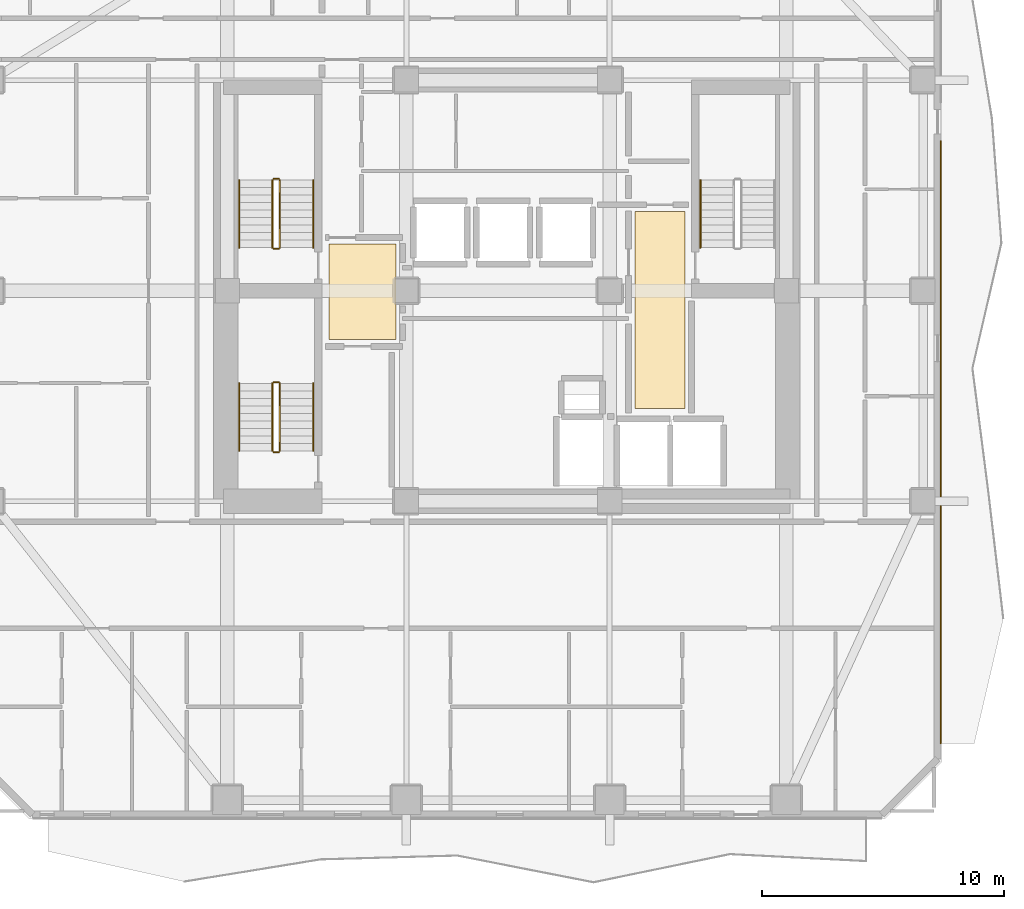
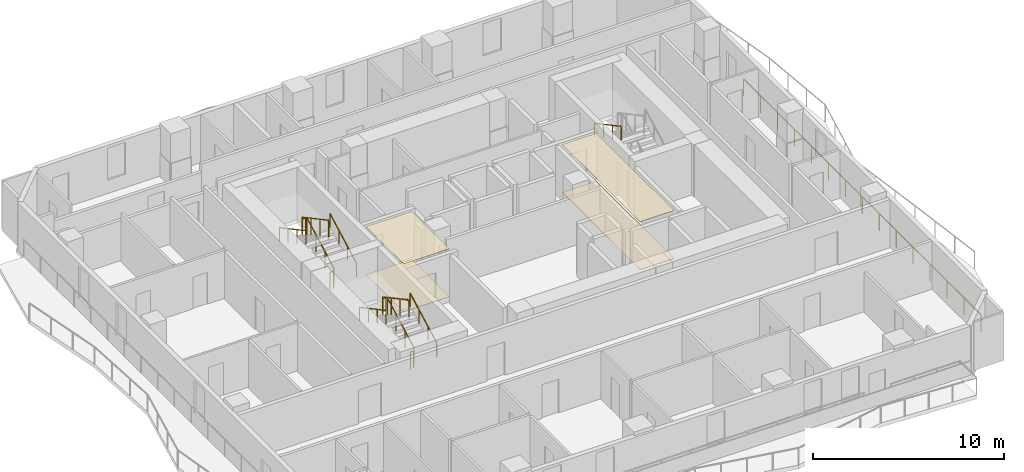
# One storey, part 9 of 11: 14 railings, 4 coverings.
"""IFC4 building model written with IfcOpenShell, lengths in metres."""

from ifc_helpers import new_model, si_unit, direction, frame, origin, origin_2d, place, context, subcontext, project, spatial, polyline, rectangle, outline, extrude, material, layer, layer_set, type_object, element, save


model = new_model("IFC4")

# Units and contexts
model_context = context("Model", 3, precision=1e-05, world=origin(), true_north=direction((0.0, 1.0)))
body_context = subcontext(model_context, "Body", "Model", "MODEL_VIEW")
ifc_project = project(units=[si_unit("LENGTHUNIT", "METRE"), si_unit("AREAUNIT", "SQUARE_METRE"), si_unit("VOLUMEUNIT", "CUBIC_METRE"), si_unit("PLANEANGLEUNIT", "RADIAN"), si_unit("MASSUNIT", "GRAM", prefix="KILO")], contexts=[model_context])

# Site, building, storey
site_placement = place(None, origin())
site = spatial("IfcSite", under=ifc_project, at=site_placement, CompositionType="ELEMENT")
building_placement = place(site_placement, origin())
building = spatial("IfcBuilding", under=site, at=building_placement, Name="Solanera Arch Residences", CompositionType="ELEMENT")
storey_placement = place(building_placement, frame((0.0, 0.0, 116.0400390625)))
storey = spatial("IfcBuildingStorey", under=building, at=storey_placement, Name="L33", CompositionType="ELEMENT", Elevation=116.0400390625)

# Railing
ifc_material_1 = material(Name="Steel S355 (ASTM A992 / A572 Grade 50)", Category="steel")
railing_type_1 = type_object("IfcRailingType", Name="Balustrade Railing BL-1100", PredefinedType="BALUSTRADE", material=ifc_material_1)
railing_1_placement = place(storey_placement, frame((42.8798828125, 36.8779296875, 0.0)))
element("IfcRailing", 1, at=railing_1_placement, inside=storey, type_object=railing_type_1, Name="L33 E Balcony Balustrade 2", PredefinedType="BALUSTRADE", context=body_context, shape_type="SweptSolid", body=[
    extrude(rectangle(XDim=0.048095703125, YDim=0.048095703125, at=origin_2d()), frame((0.0, 0.0, 1.09619140625), z_axis=(0.0, -1.0, 0.0), x_axis=(1.0, 0.0, 0.0)), (0.0, 0.0, 1.0), 24.8779296875),
    extrude(rectangle(XDim=0.0419921875, YDim=0.0419921875, at=origin_2d()), origin(), (0.0, 0.0, 1.0), 1.072021484375),
    extrude(rectangle(XDim=0.0419921875, YDim=0.0419921875, at=origin_2d()), frame((0.0, -1.777099609375, 0.0)), (0.0, 0.0, 1.0), 1.072021484375),
    extrude(rectangle(XDim=0.0419921875, YDim=0.0419921875, at=origin_2d()), frame((0.0, -3.553955078125, 0.0)), (0.0, 0.0, 1.0), 1.072021484375),
    extrude(rectangle(XDim=0.0419921875, YDim=0.0419921875, at=origin_2d()), frame((0.0, -5.3310546875, 0.0)), (0.0, 0.0, 1.0), 1.072021484375),
    extrude(rectangle(XDim=0.0419921875, YDim=0.0419921875, at=origin_2d()), frame((0.0, -7.10791015625, 0.0)), (0.0, 0.0, 1.0), 1.072021484375),
    extrude(rectangle(XDim=0.0419921875, YDim=0.0419921875, at=origin_2d()), frame((0.0, -8.885009765625, 0.0)), (0.0, 0.0, 1.0), 1.072021484375),
    extrude(rectangle(XDim=0.0419921875, YDim=0.0419921875, at=origin_2d()), frame((0.0, -10.661865234375, 0.0)), (0.0, 0.0, 1.0), 1.072021484375),
    extrude(rectangle(XDim=0.0419921875, YDim=0.0419921875, at=origin_2d()), frame((0.0, -12.43896484375, 0.0)), (0.0, 0.0, 1.0), 1.072021484375),
    extrude(rectangle(XDim=0.0419921875, YDim=0.0419921875, at=origin_2d()), frame((0.0, -14.216064453125, 0.0)), (0.0, 0.0, 1.0), 1.072021484375),
    extrude(rectangle(XDim=0.0419921875, YDim=0.0419921875, at=origin_2d()), frame((0.0, -15.992919921875, 0.0)), (0.0, 0.0, 1.0), 1.072021484375),
    extrude(rectangle(XDim=0.0419921875, YDim=0.0419921875, at=origin_2d()), frame((0.0, -17.77001953125, 0.0)), (0.0, 0.0, 1.0), 1.072021484375),
    extrude(rectangle(XDim=0.0419921875, YDim=0.0419921875, at=origin_2d()), frame((0.0, -19.546875, 0.0)), (0.0, 0.0, 1.0), 1.072021484375),
    extrude(rectangle(XDim=0.0419921875, YDim=0.0419921875, at=origin_2d()), frame((0.0, -21.323974609375, 0.0)), (0.0, 0.0, 1.0), 1.072021484375),
    extrude(rectangle(XDim=0.0419921875, YDim=0.0419921875, at=origin_2d()), frame((0.0, -23.100830078125, 0.0)), (0.0, 0.0, 1.0), 1.072021484375),
    extrude(rectangle(XDim=0.0419921875, YDim=0.0419921875, at=origin_2d()), frame((0.0, -24.8779296875, 0.0)), (0.0, 0.0, 1.0), 1.072021484375),
])

# Coverings
ifc_material_2 = material(Name="Porcelain Acoustic Floor Tile", Category="ceramic")
ifc_layer_1 = layer(ifc_material_2, 0.02001953125)
ifc_layer_set_1 = layer_set([ifc_layer_1], Name="Porcelain Acoustic Floor Tile")
covering_type_1 = type_object("IfcCoveringType", Name="Porcelain Acoustic Floor Finish FLR-20", PredefinedType="FLOORING", material=ifc_layer_set_1)
covering_1_placement = place(storey_placement, origin())
element("IfcCovering", 2, at=covering_1_placement, inside=storey, type_object=covering_type_1, Name="L33-FFL-W Porcelain Floor Finish", PredefinedType="FLOORING", context=body_context, shape_type="SweptSolid", body=[
    extrude(outline(polyline([(20.375, 28.675048828125), (17.594970703125, 28.675048828125), (17.594970703125, 32.625), (20.375, 32.625), (20.375, 28.675048828125)])), origin(), (0.0, 0.0, 1.0), 0.02001953125),
])
covering_2_placement = place(storey_placement, origin())
element("IfcCovering", 3, at=covering_2_placement, inside=storey, type_object=covering_type_1, Name="L33-FFL-E Porcelain Floor Finish", PredefinedType="FLOORING", context=body_context, shape_type="SweptSolid", body=[
    extrude(outline(polyline([(32.304931640625, 25.824951171875), (30.25, 25.824951171875), (30.25, 33.97509765625), (32.304931640625, 33.97509765625), (32.304931640625, 25.824951171875)])), origin(), (0.0, 0.0, 1.0), 0.02001953125),
])

# Railings
ifc_material_3 = material(Name="Steel S355 (ASTM A992 / A572 Grade 50)", Category="steel")
railing_type_2 = type_object("IfcRailingType", Name="Stair Guardrail GR-1100", PredefinedType="GUARDRAIL", material=ifc_material_3)
railing_2_placement = place(storey_placement, frame((15.570068359375, 32.47998046875, 0.15087890625)))
element("IfcRailing", 4, at=railing_2_placement, inside=storey, type_object=railing_type_2, Name="L33 ST-T1 stair guard 1", PredefinedType="GUARDRAIL", context=body_context, shape_type="SweptSolid", body=[
    extrude(rectangle(XDim=0.048095703125, YDim=0.048095703125, at=origin_2d()), frame((0.0, 0.0, 1.076171875), z_axis=(0.0, 0.881548766853, 0.472092969298), x_axis=(-1.0, 0.0, 0.0)), (0.0, 0.0, 1.0), 3.1650390625),
    extrude(rectangle(XDim=0.0419921875, YDim=0.0419921875, at=origin_2d()), origin(), (0.0, 0.0, 1.0), 1.052001953125),
    extrude(rectangle(XDim=0.0419921875, YDim=0.0419921875, at=origin_2d()), frame((0.0, 0.929931640625, 0.498046875)), (0.0, 0.0, 1.0), 1.052001953125),
    extrude(rectangle(XDim=0.0419921875, YDim=0.0419921875, at=origin_2d()), frame((0.0, 1.860107421875, 0.99609375)), (0.0, 0.0, 1.0), 1.052001953125),
    extrude(rectangle(XDim=0.0419921875, YDim=0.0419921875, at=origin_2d()), frame((0.0, 2.7900390625, 1.494140625)), (0.0, 0.0, 1.0), 1.052001953125),
])
railing_3_placement = place(storey_placement, frame((15.52001953125, 35.320068359375, 1.64501953125)))
element("IfcRailing", 5, at=railing_3_placement, inside=storey, type_object=railing_type_2, Name="L33 ST-T1 stair guard 2", PredefinedType="GUARDRAIL", context=body_context, shape_type="SweptSolid", body=[
    extrude(rectangle(XDim=0.048095703125, YDim=0.048095703125, at=origin_2d()), frame((0.0, 0.0, 1.076171875), z_axis=(-1.0, 0.0, 0.0), x_axis=(0.0, -1.0, 0.0)), (0.0, 0.0, 1.0), 0.199951171875),
    extrude(rectangle(XDim=0.0419921875, YDim=0.0419921875, at=origin_2d()), origin(), (0.0, 0.0, 1.0), 1.052001953125),
    extrude(rectangle(XDim=0.0419921875, YDim=0.0419921875, at=origin_2d()), frame((-0.199951171875, 0.0, 0.0)), (0.0, 0.0, 1.0), 1.052001953125),
])
railing_4_placement = place(storey_placement, frame((15.27001953125, 35.27001953125, 1.81103515625)))
element("IfcRailing", 6, at=railing_4_placement, inside=storey, type_object=railing_type_2, Name="L33 ST-T1 stair guard 3", PredefinedType="GUARDRAIL", context=body_context, shape_type="SweptSolid", body=[
    extrude(rectangle(XDim=0.048095703125, YDim=0.048095703125, at=origin_2d()), frame((0.0, 0.0, 1.076171875), z_axis=(0.0, -0.881580869306, 0.472033018838), x_axis=(1.0, 0.0, 0.0)), (0.0, 0.0, 1.0), 3.164794921875),
    extrude(rectangle(XDim=0.0419921875, YDim=0.0419921875, at=origin_2d()), origin(), (0.0, 0.0, 1.0), 1.052001953125),
    extrude(rectangle(XDim=0.0419921875, YDim=0.0419921875, at=origin_2d()), frame((0.0, -0.929931640625, 0.498046875)), (0.0, 0.0, 1.0), 1.052001953125),
    extrude(rectangle(XDim=0.0419921875, YDim=0.0419921875, at=origin_2d()), frame((0.0, -1.860107421875, 0.995849609375)), (0.0, 0.0, 1.0), 1.052001953125),
    extrude(rectangle(XDim=0.0419921875, YDim=0.0419921875, at=origin_2d()), frame((0.0, -2.7900390625, 1.493896484375)), (0.0, 0.0, 1.0), 1.052001953125),
])
railing_5_placement = place(storey_placement, frame((15.52001953125, 32.429931640625, -0.01513671875)))
element("IfcRailing", 7, at=railing_5_placement, inside=storey, type_object=railing_type_2, Name="L33 ST-T1 stair guard 4", PredefinedType="GUARDRAIL", context=body_context, shape_type="SweptSolid", body=[
    extrude(rectangle(XDim=0.048095703125, YDim=0.048095703125, at=origin_2d()), frame((0.0, 0.0, 1.076171875), z_axis=(-1.0, 0.0, 0.0), x_axis=(0.0, -1.0, 0.0)), (0.0, 0.0, 1.0), 0.199951171875),
    extrude(rectangle(XDim=0.0419921875, YDim=0.0419921875, at=origin_2d()), origin(), (0.0, 0.0, 1.0), 1.052001953125),
    extrude(rectangle(XDim=0.0419921875, YDim=0.0419921875, at=origin_2d()), frame((-0.199951171875, 0.0, 0.0)), (0.0, 0.0, 1.0), 1.052001953125),
])
railing_6_placement = place(storey_placement, frame((15.570068359375, 24.080078125, 0.15087890625)))
element("IfcRailing", 8, at=railing_6_placement, inside=storey, type_object=railing_type_2, Name="L33 ST-T3 stair guard 1", PredefinedType="GUARDRAIL", context=body_context, shape_type="SweptSolid", body=[
    extrude(rectangle(XDim=0.048095703125, YDim=0.048095703125, at=origin_2d()), frame((0.0, 0.0, 1.076171875), z_axis=(0.0, 0.881548766853, 0.472092969298), x_axis=(-1.0, 0.0, 0.0)), (0.0, 0.0, 1.0), 3.1650390625),
    extrude(rectangle(XDim=0.0419921875, YDim=0.0419921875, at=origin_2d()), origin(), (0.0, 0.0, 1.0), 1.052001953125),
    extrude(rectangle(XDim=0.0419921875, YDim=0.0419921875, at=origin_2d()), frame((0.0, 0.929931640625, 0.498046875)), (0.0, 0.0, 1.0), 1.052001953125),
    extrude(rectangle(XDim=0.0419921875, YDim=0.0419921875, at=origin_2d()), frame((0.0, 1.860107421875, 0.99609375)), (0.0, 0.0, 1.0), 1.052001953125),
    extrude(rectangle(XDim=0.0419921875, YDim=0.0419921875, at=origin_2d()), frame((0.0, 2.7900390625, 1.494140625)), (0.0, 0.0, 1.0), 1.052001953125),
])
railing_7_placement = place(storey_placement, frame((15.52001953125, 26.919921875, 1.64501953125)))
element("IfcRailing", 9, at=railing_7_placement, inside=storey, type_object=railing_type_2, Name="L33 ST-T3 stair guard 2", PredefinedType="GUARDRAIL", context=body_context, shape_type="SweptSolid", body=[
    extrude(rectangle(XDim=0.048095703125, YDim=0.048095703125, at=origin_2d()), frame((0.0, 0.0, 1.076171875), z_axis=(-1.0, 0.0, 0.0), x_axis=(0.0, -1.0, 0.0)), (0.0, 0.0, 1.0), 0.199951171875),
    extrude(rectangle(XDim=0.0419921875, YDim=0.0419921875, at=origin_2d()), origin(), (0.0, 0.0, 1.0), 1.052001953125),
    extrude(rectangle(XDim=0.0419921875, YDim=0.0419921875, at=origin_2d()), frame((-0.199951171875, 0.0, 0.0)), (0.0, 0.0, 1.0), 1.052001953125),
])
railing_8_placement = place(storey_placement, frame((15.27001953125, 26.8701171875, 1.81103515625)))
element("IfcRailing", 10, at=railing_8_placement, inside=storey, type_object=railing_type_2, Name="L33 ST-T3 stair guard 3", PredefinedType="GUARDRAIL", context=body_context, shape_type="SweptSolid", body=[
    extrude(rectangle(XDim=0.048095703125, YDim=0.048095703125, at=origin_2d()), frame((0.0, 0.0, 1.076171875), z_axis=(0.0, -0.881580869306, 0.472033018838), x_axis=(1.0, 0.0, 0.0)), (0.0, 0.0, 1.0), 3.164794921875),
    extrude(rectangle(XDim=0.0419921875, YDim=0.0419921875, at=origin_2d()), origin(), (0.0, 0.0, 1.0), 1.052001953125),
    extrude(rectangle(XDim=0.0419921875, YDim=0.0419921875, at=origin_2d()), frame((0.0, -0.929931640625, 0.498046875)), (0.0, 0.0, 1.0), 1.052001953125),
    extrude(rectangle(XDim=0.0419921875, YDim=0.0419921875, at=origin_2d()), frame((0.0, -1.860107421875, 0.995849609375)), (0.0, 0.0, 1.0), 1.052001953125),
    extrude(rectangle(XDim=0.0419921875, YDim=0.0419921875, at=origin_2d()), frame((0.0, -2.7900390625, 1.493896484375)), (0.0, 0.0, 1.0), 1.052001953125),
])
railing_9_placement = place(storey_placement, frame((15.52001953125, 24.030029296875, -0.01513671875)))
element("IfcRailing", 11, at=railing_9_placement, inside=storey, type_object=railing_type_2, Name="L33 ST-T3 stair guard 4", PredefinedType="GUARDRAIL", context=body_context, shape_type="SweptSolid", body=[
    extrude(rectangle(XDim=0.048095703125, YDim=0.048095703125, at=origin_2d()), frame((0.0, 0.0, 1.076171875), z_axis=(-1.0, 0.0, 0.0), x_axis=(0.0, -1.0, 0.0)), (0.0, 0.0, 1.0), 0.199951171875),
    extrude(rectangle(XDim=0.0419921875, YDim=0.0419921875, at=origin_2d()), origin(), (0.0, 0.0, 1.0), 1.052001953125),
    extrude(rectangle(XDim=0.0419921875, YDim=0.0419921875, at=origin_2d()), frame((-0.199951171875, 0.0, 0.0)), (0.0, 0.0, 1.0), 1.052001953125),
])
ifc_material_4 = material(Name="Steel S355 (ASTM A992 / A572 Grade 50)", Category="steel")
railing_type_3 = type_object("IfcRailingType", Name="Stair Wall Handrail HR-920", PredefinedType="HANDRAIL", material=ifc_material_4)
railing_10_placement = place(storey_placement, frame((16.949951171875, 32.47998046875, 0.166015625)))
element("IfcRailing", 12, at=railing_10_placement, inside=storey, type_object=railing_type_3, Name="L33 ST-T1 stair handrail 1", PredefinedType="HANDRAIL", context=body_context, shape_type="SweptSolid", body=[
    extrude(rectangle(XDim=0.048095703125, YDim=0.048095703125, at=origin_2d()), frame((0.0, 0.0, 0.8759765625), z_axis=(0.0, 0.881580869306, 0.472033018838), x_axis=(-1.0, 0.0, 0.0)), (0.0, 0.0, 1.0), 3.164794921875),
    extrude(rectangle(XDim=0.0419921875, YDim=0.0419921875, at=origin_2d()), origin(), (0.0, 0.0, 1.0), 0.851806640625),
    extrude(rectangle(XDim=0.0419921875, YDim=0.0419921875, at=origin_2d()), frame((0.0, 0.929931640625, 0.498046875)), (0.0, 0.0, 1.0), 0.851806640625),
    extrude(rectangle(XDim=0.0419921875, YDim=0.0419921875, at=origin_2d()), frame((0.0, 1.860107421875, 0.995849609375)), (0.0, 0.0, 1.0), 0.851806640625),
    extrude(rectangle(XDim=0.0419921875, YDim=0.0419921875, at=origin_2d()), frame((0.0, 2.7900390625, 1.493896484375)), (0.0, 0.0, 1.0), 0.851806640625),
])
for number, where, name in (
    (13, (13.889892578125, 35.27001953125, 1.825927734375), "L33 ST-T1 stair handrail 2"),
    (14, (32.949951171875, 35.27001953125, 1.825927734375), "L33 ST-T2 stair handrail 2"),
):
    element("IfcRailing", number, at=place(storey_placement, frame(where)), inside=storey, type_object=railing_type_3, Name=name, PredefinedType="HANDRAIL", context=body_context, shape_type="SweptSolid", body=[
        extrude(rectangle(XDim=0.048095703125, YDim=0.048095703125, at=origin_2d()), frame((0.0, 0.0, 0.8759765625), z_axis=(0.0, -0.881548766853, 0.472092969298), x_axis=(1.0, 0.0, 0.0)), (0.0, 0.0, 1.0), 3.1650390625),
        extrude(rectangle(XDim=0.0419921875, YDim=0.0419921875, at=origin_2d()), origin(), (0.0, 0.0, 1.0), 0.851806640625),
        extrude(rectangle(XDim=0.0419921875, YDim=0.0419921875, at=origin_2d()), frame((0.0, -0.929931640625, 0.498046875)), (0.0, 0.0, 1.0), 0.851806640625),
        extrude(rectangle(XDim=0.0419921875, YDim=0.0419921875, at=origin_2d()), frame((0.0, -1.860107421875, 0.99609375)), (0.0, 0.0, 1.0), 0.851806640625),
        extrude(rectangle(XDim=0.0419921875, YDim=0.0419921875, at=origin_2d()), frame((0.0, -2.7900390625, 1.494140625)), (0.0, 0.0, 1.0), 0.851806640625),
    ])
railing_11_placement = place(storey_placement, frame((16.949951171875, 24.080078125, 0.166015625)))
element("IfcRailing", 15, at=railing_11_placement, inside=storey, type_object=railing_type_3, Name="L33 ST-T3 stair handrail 1", PredefinedType="HANDRAIL", context=body_context, shape_type="SweptSolid", body=[
    extrude(rectangle(XDim=0.048095703125, YDim=0.048095703125, at=origin_2d()), frame((0.0, 0.0, 0.8759765625), z_axis=(0.0, 0.881580869306, 0.472033018838), x_axis=(-1.0, 0.0, 0.0)), (0.0, 0.0, 1.0), 3.164794921875),
    extrude(rectangle(XDim=0.0419921875, YDim=0.0419921875, at=origin_2d()), origin(), (0.0, 0.0, 1.0), 0.851806640625),
    extrude(rectangle(XDim=0.0419921875, YDim=0.0419921875, at=origin_2d()), frame((0.0, 0.929931640625, 0.498046875)), (0.0, 0.0, 1.0), 0.851806640625),
    extrude(rectangle(XDim=0.0419921875, YDim=0.0419921875, at=origin_2d()), frame((0.0, 1.860107421875, 0.995849609375)), (0.0, 0.0, 1.0), 0.851806640625),
    extrude(rectangle(XDim=0.0419921875, YDim=0.0419921875, at=origin_2d()), frame((0.0, 2.7900390625, 1.493896484375)), (0.0, 0.0, 1.0), 0.851806640625),
])
railing_12_placement = place(storey_placement, frame((13.889892578125, 26.8701171875, 1.825927734375)))
element("IfcRailing", 16, at=railing_12_placement, inside=storey, type_object=railing_type_3, Name="L33 ST-T3 stair handrail 2", PredefinedType="HANDRAIL", context=body_context, shape_type="SweptSolid", body=[
    extrude(rectangle(XDim=0.048095703125, YDim=0.048095703125, at=origin_2d()), frame((0.0, 0.0, 0.8759765625), z_axis=(0.0, -0.881548766853, 0.472092969298), x_axis=(1.0, 0.0, 0.0)), (0.0, 0.0, 1.0), 3.1650390625),
    extrude(rectangle(XDim=0.0419921875, YDim=0.0419921875, at=origin_2d()), origin(), (0.0, 0.0, 1.0), 0.851806640625),
    extrude(rectangle(XDim=0.0419921875, YDim=0.0419921875, at=origin_2d()), frame((0.0, -0.929931640625, 0.498046875)), (0.0, 0.0, 1.0), 0.851806640625),
    extrude(rectangle(XDim=0.0419921875, YDim=0.0419921875, at=origin_2d()), frame((0.0, -1.860107421875, 0.99609375)), (0.0, 0.0, 1.0), 0.851806640625),
    extrude(rectangle(XDim=0.0419921875, YDim=0.0419921875, at=origin_2d()), frame((0.0, -2.7900390625, 1.494140625)), (0.0, 0.0, 1.0), 0.851806640625),
])

# Coverings
ifc_material_5 = material(Name="Mineral Fibre Acoustic Ceiling Board", Category="gypsum")
ifc_layer_2 = layer(ifc_material_5, 0.02490234375)
ifc_layer_set_2 = layer_set([ifc_layer_2], Name="Mineral Fibre Acoustic Ceiling Board")
covering_type_2 = type_object("IfcCoveringType", Name="Suspended Acoustic Ceiling Board CLG-25", PredefinedType="CEILING", material=ifc_layer_set_2)
covering_3_placement = place(storey_placement, frame((0.0, 0.0, 3.054931640625)))
element("IfcCovering", 17, at=covering_3_placement, inside=storey, type_object=covering_type_2, Name="L33-FFL-W Acoustic Ceiling", PredefinedType="CEILING", context=body_context, shape_type="SweptSolid", body=[
    extrude(outline(polyline([(20.375, 28.675048828125), (17.594970703125, 28.675048828125), (17.594970703125, 32.625), (20.375, 32.625), (20.375, 28.675048828125)])), origin(), (0.0, 0.0, 1.0), 0.025146484375),
])
covering_4_placement = place(storey_placement, frame((0.0, 0.0, 3.054931640625)))
element("IfcCovering", 18, at=covering_4_placement, inside=storey, type_object=covering_type_2, Name="L33-FFL-E Acoustic Ceiling", PredefinedType="CEILING", context=body_context, shape_type="SweptSolid", body=[
    extrude(outline(polyline([(32.304931640625, 25.824951171875), (30.25, 25.824951171875), (30.25, 33.97509765625), (32.304931640625, 33.97509765625), (32.304931640625, 25.824951171875)])), origin(), (0.0, 0.0, 1.0), 0.025146484375),
])

save(model, "model.ifc")
